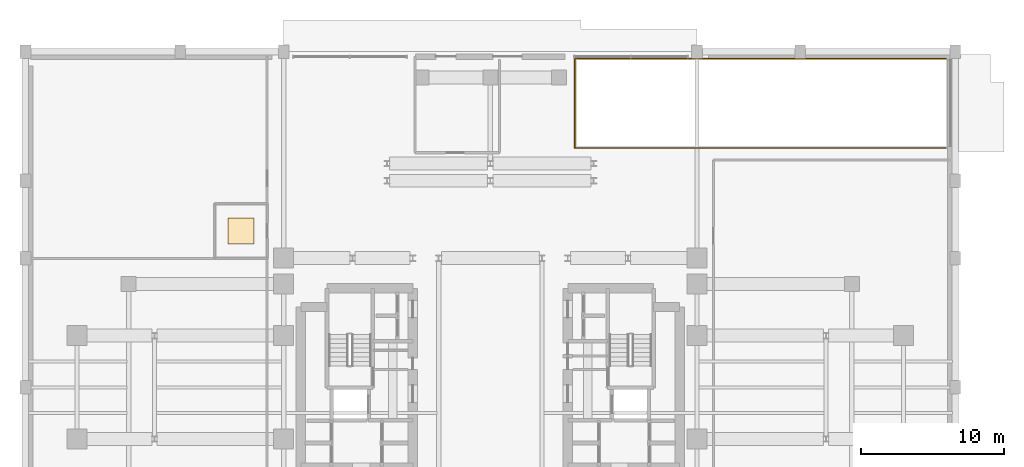
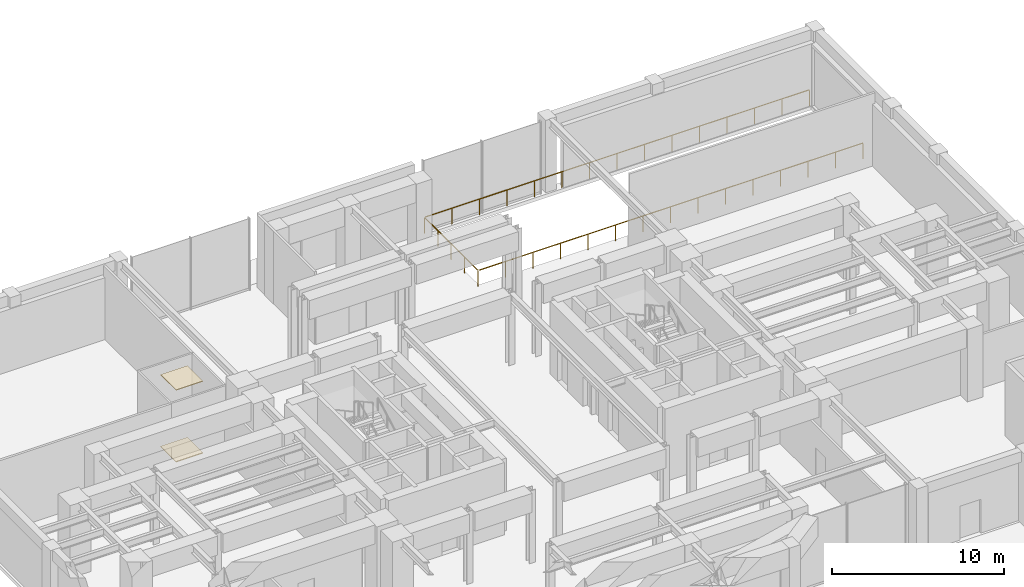
# One storey, part 17 of 17: 2 coverings, 1 railing.
"""IFC4 building model written with IfcOpenShell, lengths in metres."""

from ifc_helpers import new_model, si_unit, direction, frame, origin, origin_2d, place, context, subcontext, project, spatial, rectangle, extrude, source, transform, mapped, material, layer, layer_set, type_object, element, save


model = new_model("IFC4")

# Units and contexts
model_context = context("Model", 3, precision=1e-05, world=origin(), true_north=direction((0.0, 1.0)))
body_context = subcontext(model_context, "Body", "Model", "MODEL_VIEW")
ifc_project = project(units=[si_unit("LENGTHUNIT", "METRE"), si_unit("AREAUNIT", "SQUARE_METRE"), si_unit("VOLUMEUNIT", "CUBIC_METRE"), si_unit("PLANEANGLEUNIT", "RADIAN"), si_unit("MASSUNIT", "GRAM", prefix="KILO")], contexts=[model_context])

# Site, building, storey
site_placement = place(None, origin())
site = spatial("IfcSite", under=ifc_project, at=site_placement, CompositionType="ELEMENT")
building_placement = place(site_placement, origin())
building = spatial("IfcBuilding", under=site, at=building_placement, Name="Keilestroom Media Tower", CompositionType="ELEMENT")
storey_placement = place(building_placement, origin())
storey = spatial("IfcBuildingStorey", under=building, at=storey_placement, Name="L00", CompositionType="ELEMENT", Elevation=0.0)

# Railing
ifc_material_1 = material(Name="Laminated Safety Glass & Stainless Steel", Category="steel")
railing_type = type_object("IfcRailingType", Name="Terrace-And-Atrium-Guard-Balustrade-GD-EXT", PredefinedType="BALUSTRADE", material=ifc_material_1)
railing_placement = place(storey_placement, frame((31.75, 16.679931640625, 0.0)))
element("IfcRailing", 1, at=railing_placement, inside=storey, type_object=railing_type, Name="L00 Vehicle Ramp Well Perimeter Guard Balustrade", PredefinedType="BALUSTRADE", context=body_context, shape_type="SweptSolid", body=[
    extrude(rectangle(XDim=0.048095703125, YDim=0.048095703125, at=origin_2d()), frame((0.0, 0.0, 1.1259765625), z_axis=(-1.0, 0.0, 0.0), x_axis=(0.0, -1.0, 0.0)), (0.0, 0.0, 1.0), 25.822021484375),
    extrude(rectangle(XDim=0.048095703125, YDim=0.048095703125, at=origin_2d()), frame((-25.8701171875, 0.048095703125, 1.1259765625), z_axis=(0.0, 1.0, 0.0), x_axis=(-1.0, 0.0, 0.0)), (0.0, 0.0, 1.0), 6.143798828125),
    extrude(rectangle(XDim=0.048095703125, YDim=0.048095703125, at=origin_2d()), frame((-25.822021484375, 6.239990234375, 1.1259765625), z_axis=(1.0, 0.0, 0.0), x_axis=(0.0, 1.0, 0.0)), (0.0, 0.0, 1.0), 25.822021484375),
    extrude(rectangle(XDim=0.0419921875, YDim=0.0419921875, at=origin_2d()), origin(), (0.0, 0.0, 1.0), 1.09375),
    extrude(rectangle(XDim=0.0419921875, YDim=0.0419921875, at=origin_2d()), frame((-1.847900390625, 0.0, 0.0)), (0.0, 0.0, 1.0), 1.09375),
    extrude(rectangle(XDim=0.0419921875, YDim=0.0419921875, at=origin_2d()), frame((-3.69580078125, 0.0, 0.0)), (0.0, 0.0, 1.0), 1.09375),
    extrude(rectangle(XDim=0.0419921875, YDim=0.0419921875, at=origin_2d()), frame((-5.543701171875, 0.0, 0.0)), (0.0, 0.0, 1.0), 1.09375),
    extrude(rectangle(XDim=0.0419921875, YDim=0.0419921875, at=origin_2d()), frame((-7.391357421875, 0.0, 0.0)), (0.0, 0.0, 1.0), 1.09375),
    extrude(rectangle(XDim=0.0419921875, YDim=0.0419921875, at=origin_2d()), frame((-9.2392578125, 0.0, 0.0)), (0.0, 0.0, 1.0), 1.09375),
    extrude(rectangle(XDim=0.0419921875, YDim=0.0419921875, at=origin_2d()), frame((-11.087158203125, 0.0, 0.0)), (0.0, 0.0, 1.0), 1.09375),
    extrude(rectangle(XDim=0.0419921875, YDim=0.0419921875, at=origin_2d()), frame((-12.93505859375, 0.0, 0.0)), (0.0, 0.0, 1.0), 1.09375),
    extrude(rectangle(XDim=0.0419921875, YDim=0.0419921875, at=origin_2d()), frame((-14.782958984375, 0.0, 0.0)), (0.0, 0.0, 1.0), 1.09375),
    extrude(rectangle(XDim=0.0419921875, YDim=0.0419921875, at=origin_2d()), frame((-16.630859375, 0.0, 0.0)), (0.0, 0.0, 1.0), 1.09375),
    extrude(rectangle(XDim=0.0419921875, YDim=0.0419921875, at=origin_2d()), frame((-18.478759765625, 0.0, 0.0)), (0.0, 0.0, 1.0), 1.09375),
    extrude(rectangle(XDim=0.0419921875, YDim=0.0419921875, at=origin_2d()), frame((-20.326416015625, 0.0, 0.0)), (0.0, 0.0, 1.0), 1.09375),
    extrude(rectangle(XDim=0.0419921875, YDim=0.0419921875, at=origin_2d()), frame((-22.17431640625, 0.0, 0.0)), (0.0, 0.0, 1.0), 1.09375),
    extrude(rectangle(XDim=0.0419921875, YDim=0.0419921875, at=origin_2d()), frame((-24.022216796875, 0.0, 0.0)), (0.0, 0.0, 1.0), 1.09375),
    extrude(rectangle(XDim=0.0419921875, YDim=0.0419921875, at=origin_2d()), frame((-25.8701171875, 0.0, 0.0)), (0.0, 0.0, 1.0), 1.09375),
    extrude(rectangle(XDim=0.0419921875, YDim=0.0419921875, at=origin_2d()), frame((-25.8701171875, 1.56005859375, 0.0)), (0.0, 0.0, 1.0), 1.09375),
    extrude(rectangle(XDim=0.0419921875, YDim=0.0419921875, at=origin_2d()), frame((-25.8701171875, 3.1201171875, 0.0)), (0.0, 0.0, 1.0), 1.09375),
    extrude(rectangle(XDim=0.0419921875, YDim=0.0419921875, at=origin_2d()), frame((-25.8701171875, 4.679931640625, 0.0)), (0.0, 0.0, 1.0), 1.09375),
    extrude(rectangle(XDim=0.0419921875, YDim=0.0419921875, at=origin_2d()), frame((-25.8701171875, 6.239990234375, 0.0)), (0.0, 0.0, 1.0), 1.09375),
    extrude(rectangle(XDim=0.0419921875, YDim=0.0419921875, at=origin_2d()), frame((-24.022216796875, 6.239990234375, 0.0)), (0.0, 0.0, 1.0), 1.09375),
    extrude(rectangle(XDim=0.0419921875, YDim=0.0419921875, at=origin_2d()), frame((-22.17431640625, 6.239990234375, 0.0)), (0.0, 0.0, 1.0), 1.09375),
    extrude(rectangle(XDim=0.0419921875, YDim=0.0419921875, at=origin_2d()), frame((-20.326416015625, 6.239990234375, 0.0)), (0.0, 0.0, 1.0), 1.09375),
    extrude(rectangle(XDim=0.0419921875, YDim=0.0419921875, at=origin_2d()), frame((-18.478759765625, 6.239990234375, 0.0)), (0.0, 0.0, 1.0), 1.09375),
    extrude(rectangle(XDim=0.0419921875, YDim=0.0419921875, at=origin_2d()), frame((-16.630859375, 6.239990234375, 0.0)), (0.0, 0.0, 1.0), 1.09375),
    extrude(rectangle(XDim=0.0419921875, YDim=0.0419921875, at=origin_2d()), frame((-14.782958984375, 6.239990234375, 0.0)), (0.0, 0.0, 1.0), 1.09375),
    extrude(rectangle(XDim=0.0419921875, YDim=0.0419921875, at=origin_2d()), frame((-12.93505859375, 6.239990234375, 0.0)), (0.0, 0.0, 1.0), 1.09375),
    extrude(rectangle(XDim=0.0419921875, YDim=0.0419921875, at=origin_2d()), frame((-11.087158203125, 6.239990234375, 0.0)), (0.0, 0.0, 1.0), 1.09375),
    extrude(rectangle(XDim=0.0419921875, YDim=0.0419921875, at=origin_2d()), frame((-9.2392578125, 6.239990234375, 0.0)), (0.0, 0.0, 1.0), 1.09375),
    extrude(rectangle(XDim=0.0419921875, YDim=0.0419921875, at=origin_2d()), frame((-7.391357421875, 6.239990234375, 0.0)), (0.0, 0.0, 1.0), 1.09375),
    extrude(rectangle(XDim=0.0419921875, YDim=0.0419921875, at=origin_2d()), frame((-5.543701171875, 6.239990234375, 0.0)), (0.0, 0.0, 1.0), 1.09375),
    extrude(rectangle(XDim=0.0419921875, YDim=0.0419921875, at=origin_2d()), frame((-3.69580078125, 6.239990234375, 0.0)), (0.0, 0.0, 1.0), 1.09375),
    extrude(rectangle(XDim=0.0419921875, YDim=0.0419921875, at=origin_2d()), frame((-1.847900390625, 6.239990234375, 0.0)), (0.0, 0.0, 1.0), 1.09375),
    extrude(rectangle(XDim=0.0419921875, YDim=0.0419921875, at=origin_2d()), frame((0.0, 6.239990234375, 0.0)), (0.0, 0.0, 1.0), 1.09375),
])

# Coverings
ifc_material_2 = material(Name="Mineral-Fibre Acoustic Ceiling Tile", Category="gypsum")
ifc_layer_1 = layer(ifc_material_2, 0.0400390625)
ifc_layer_set_1 = layer_set([ifc_layer_1], Name="Mineral-Fibre Acoustic Ceiling Tile")
covering_type_1 = type_object("IfcCoveringType", Name="Suspended-Acoustic-Ceiling-40", PredefinedType="CEILING", material=ifc_layer_set_1)
shared_shape_1 = source(origin(), body_context, "Body", "SweptSolid", [
    extrude(rectangle(XDim=1.800048828125, YDim=1.800048828125, at=origin_2d()), origin(), (0.0, 0.0, 1.0), 0.0400390625),
])
covering_1_placement = place(storey_placement, frame((-17.375, 10.89990234375, 5.10986328125), z_axis=(0.0, 0.0, 1.0), x_axis=(1.0, 0.0, 0.0)))
element("IfcCovering", 2, at=covering_1_placement, inside=storey, type_object=covering_type_1, Name="L00 Suspended Acoustic Ceiling 1", PredefinedType="CEILING", context=body_context, shape_type="MappedRepresentation", body=[
    mapped(shared_shape_1, transform((0.0, 0.0, 0.0), x_axis=(1.0, 0.0, 0.0), y_axis=(0.0, 1.0, 0.0), z_axis=(0.0, 0.0, 1.0), scale=1.0)),
])
ifc_material_3 = material(Name="Calcium-Sulphate Raised Access Floor", Category="concrete")
ifc_layer_2 = layer(ifc_material_3, 0.06005859375)
ifc_layer_set_2 = layer_set([ifc_layer_2], Name="Calcium-Sulphate Raised Access Floor")
covering_type_2 = type_object("IfcCoveringType", Name="Raised-Access-And-Acoustic-Flooring-60", PredefinedType="FLOORING", material=ifc_layer_set_2)
shared_shape_2 = source(origin(), body_context, "Body", "SweptSolid", [
    extrude(rectangle(XDim=1.800048828125, YDim=1.800048828125, at=origin_2d()), origin(), (0.0, 0.0, 1.0), 0.06005859375),
])
covering_2_placement = place(storey_placement, frame((-17.375, 10.89990234375, 0.0), z_axis=(0.0, 0.0, 1.0), x_axis=(1.0, 0.0, 0.0)))
element("IfcCovering", 3, at=covering_2_placement, inside=storey, type_object=covering_type_2, Name="L00 Raised Access Flooring 1", PredefinedType="FLOORING", context=body_context, shape_type="MappedRepresentation", body=[
    mapped(shared_shape_2, transform((0.0, 0.0, 0.0), x_axis=(1.0, 0.0, 0.0), y_axis=(0.0, 1.0, 0.0), z_axis=(0.0, 0.0, 1.0), scale=1.0)),
])

save(model, "model.ifc")
